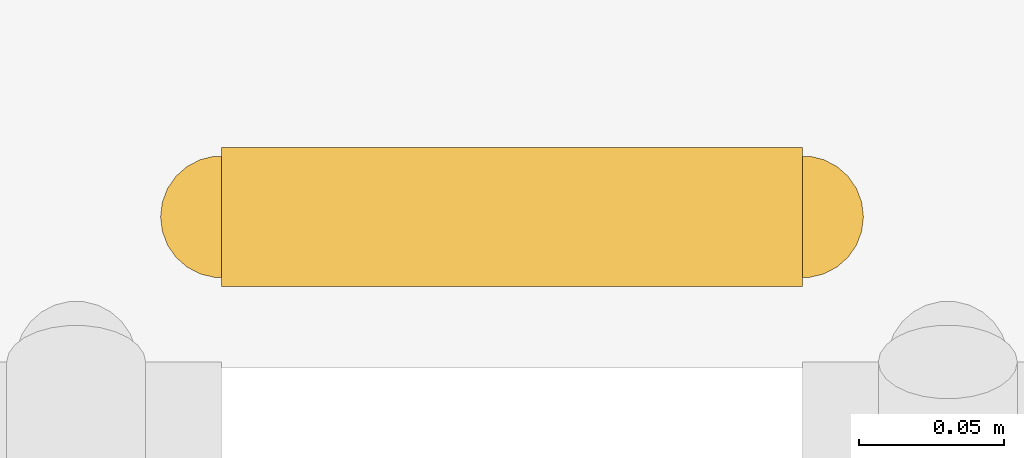
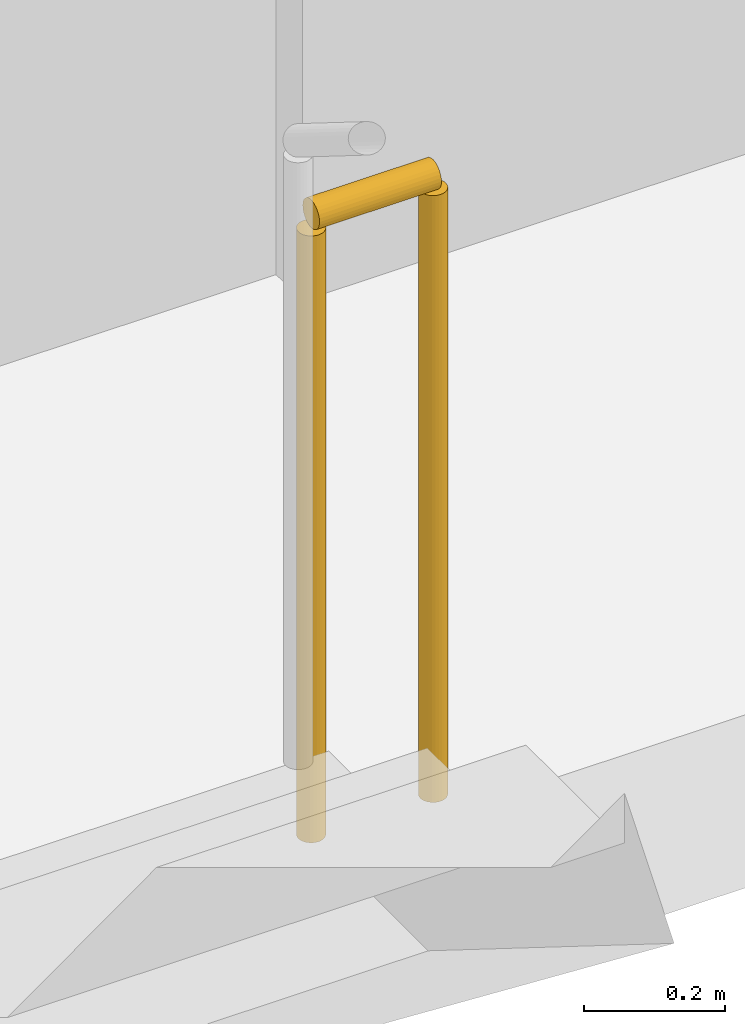
# One storey, part 20 of 22: 1 railing.
"""IFC4 building model written with IfcOpenShell, lengths in metres."""

import ifcopenshell
import ifcopenshell.guid

model = None  # the IFC model being written
_history = None  # IfcOwnerHistory: only IFC2X3 demands one
_inside = {}  # id of a spatial element -> (the spatial element, [elements in it])
_under = {}  # id of a project, library or spatial element -> (it, [spatial elements below it])
_declared = {}  # id of a project -> (the project, [libraries it declares])
_typed = {}  # id of a type object -> (the type object, [elements of that type])
_made_of = {}  # id of a material, layer set ... -> (it, [elements and type objects made of it])


def new_model(schema):
    """Start an empty IFC model of exactly this schema.

    Asked for "IFC4X3", IfcOpenShell would pick the latest addendum, in which some entities
    have other attributes; the version numbers below select the first issue.
    IFC2X3 requires an IfcOwnerHistory on every rooted entity: one is made here for all.
    """
    global model, _history
    if schema == "IFC4X3":
        model = ifcopenshell.file(schema_version=(4, 3, 0, 0))
    else:
        model = ifcopenshell.file(schema=schema)
    _inside.clear()
    _under.clear()
    _declared.clear()
    _typed.clear()
    _made_of.clear()
    _history = None
    if model.schema == "IFC2X3":
        org = make("IfcOrganization", Name="unknown")
        user = make(
            "IfcPersonAndOrganization",
            ThePerson=make("IfcPerson", FamilyName="unknown"),
            TheOrganization=org,
        )
        app = make(
            "IfcApplication",
            ApplicationDeveloper=org,
            Version="unknown",
            ApplicationFullName="unknown",
            ApplicationIdentifier="unknown",
        )
        _history = make(
            "IfcOwnerHistory",
            OwningUser=user,
            OwningApplication=app,
            ChangeAction="ADDED",
            CreationDate=0,
        )
    return model


def make(cls, **values):
    """One entity of the class cls with the attributes given. An attribute that is None is left unset."""
    return model.create_entity(
        cls, **{name: value for name, value in values.items() if value is not None}
    )


def rooted(cls, **values):
    """An entity with a GlobalId (a new one), such as an element, a storey or a relation."""
    return make(cls, GlobalId=ifcopenshell.guid.new(), OwnerHistory=_history, **values)


def si_unit(unit_type, name, prefix=None):
    """IfcSIUnit, for example si_unit("LENGTHUNIT", "METRE", prefix="MILLI")."""
    return make("IfcSIUnit", UnitType=unit_type, Prefix=prefix, Name=name)


def assignment(units):
    """IfcUnitAssignment: the units of a project."""
    return None if units is None else make("IfcUnitAssignment", Units=units)


def point(xyz):
    """IfcCartesianPoint."""
    return None if xyz is None else make("IfcCartesianPoint", Coordinates=xyz)


def direction(xyz):
    """IfcDirection."""
    return None if xyz is None else make("IfcDirection", DirectionRatios=xyz)


def frame(location, z_axis=None, x_axis=None):
    """IfcAxis2Placement3D, a coordinate frame: its origin and axes. An axis left out is left unset."""
    return make(
        "IfcAxis2Placement3D",
        Location=point(location),
        Axis=direction(z_axis),
        RefDirection=direction(x_axis),
    )


def frame_2d(location, x_axis=None):
    """IfcAxis2Placement2D, a coordinate frame in the plane: its origin and x axis."""
    return make(
        "IfcAxis2Placement2D", Location=point(location), RefDirection=direction(x_axis)
    )


def origin():
    """The frame at (0, 0, 0) with its axes left unset."""
    return frame((0.0, 0.0, 0.0))


def origin_2d():
    """The frame at (0, 0) in the plane with its x axis left unset."""
    return frame_2d((0.0, 0.0))


def place(relative_to, where):
    """IfcLocalPlacement: puts the frame where relative to a parent placement (None: the world)."""
    return make(
        "IfcLocalPlacement", PlacementRelTo=relative_to, RelativePlacement=where
    )


def context(
    kind, dimensions, precision=None, world=None, true_north=None, identifier=None
):
    """IfcGeometricRepresentationContext, for example the 3D "Model" context."""
    return make(
        "IfcGeometricRepresentationContext",
        ContextIdentifier=identifier,
        ContextType=kind,
        CoordinateSpaceDimension=dimensions,
        Precision=precision,
        WorldCoordinateSystem=world,
        TrueNorth=true_north,
    )


def subcontext(parent, identifier, kind, view, scale=None):
    """IfcGeometricRepresentationSubContext, for example "Body" below "Model"."""
    return make(
        "IfcGeometricRepresentationSubContext",
        ContextIdentifier=identifier,
        ContextType=kind,
        ParentContext=parent,
        TargetScale=scale,
        TargetView=view,
    )


def project(units=None, contexts=None):
    """IfcProject with its units and contexts."""
    return rooted(
        "IfcProject",
        Name="project",
        RepresentationContexts=contexts,
        UnitsInContext=assignment(units),
    )


def spatial(cls, under=None, at=None, **own):
    """A site, building, storey or space (cls), placed at a placement, below another one or the project."""
    s = rooted(cls, ObjectPlacement=at, **own)
    if under is not None:
        _under.setdefault(under.id(), (under, []))[1].append(s)
    return s


def profile(cls, at=None, kind="AREA", **sizes):
    """A parametric profile (cls). Its sizes go by their IFC names, for example OverallWidth=200.0."""
    return make(cls, ProfileType=kind, Position=at, **sizes)


def circle(**sizes):
    """IfcCircleProfileDef."""
    return profile("IfcCircleProfileDef", **sizes)


def extrude(swept, where, along, depth):
    """IfcExtrudedAreaSolid: the profile swept, set in the frame where, extruded along a direction by depth."""
    return make(
        "IfcExtrudedAreaSolid",
        SweptArea=swept,
        Position=where,
        ExtrudedDirection=direction(along),
        Depth=depth,
    )


def shape(context_of_items, identifier, shape_type, items):
    """IfcShapeRepresentation: the items that make up one representation, for example the "Body"."""
    return make(
        "IfcShapeRepresentation",
        ContextOfItems=context_of_items,
        RepresentationIdentifier=identifier,
        RepresentationType=shape_type,
        Items=items,
    )


def material(Name=None, Category=None):
    """IfcMaterial."""
    return make("IfcMaterial", Name=Name, Category=Category)


def made_of(thing, what):
    """Note that an element or type object is made of a material, layer set ...; save() writes the relation."""
    if what is not None:
        _made_of.setdefault(what.id(), (what, []))[1].append(thing)
    return thing


def type_object(cls, material=None, **own):
    """A type object (cls), such as IfcWallType, which elements share."""
    return made_of(rooted(cls, **own), material)


def element(
    cls,
    number,
    at=None,
    inside=None,
    cuts=None,
    type_object=None,
    material=None,
    context=None,
    identifier="Body",
    shape_type=None,
    held_by="IfcProductDefinitionShape",
    body=None,
    shapes=None,
    **own,
):
    """One element of the class cls, such as IfcWall. Its Tag is "e" and its number.

    at: its placement. inside: the storey or other place that contains it. cuts: it is an
    opening in that element (IfcRelVoidsElement). A single representation is given by context,
    identifier, shape_type and body (its items); several are given by shapes. held_by: the class
    of the entity that holds the representations. save() writes the other relations.
    """
    e = rooted(cls, Tag="e%d" % number, ObjectPlacement=at, **own)
    if body is not None:
        shapes = [shape(context, identifier, shape_type, body)]
    if shapes is not None:
        e.Representation = make(held_by, Representations=shapes)
    if inside is not None:
        _inside.setdefault(inside.id(), (inside, []))[1].append(e)
    if cuts is not None:
        rooted(
            "IfcRelVoidsElement", RelatingBuildingElement=cuts, RelatedOpeningElement=e
        )
    if type_object is not None:
        _typed.setdefault(type_object.id(), (type_object, []))[1].append(e)
    return made_of(e, material)


def aggregate(whole, parts):
    """IfcRelAggregates: a whole, such as a stair, and the parts it consists of."""
    return rooted("IfcRelAggregates", RelatingObject=whole, RelatedObjects=parts)


def save(model, path):
    """Write the relations noted so far, then the file.

    IfcRelAggregates (storeys below a building ...), IfcRelContainedInSpatialStructure (elements
    in a storey), IfcRelDefinesByType, IfcRelAssociatesMaterial and IfcRelDeclares: one each for
    every whole, place, type object, material and project.
    """
    for whole, parts in _under.values():
        aggregate(whole, parts)
    for where, things in _inside.values():
        rooted(
            "IfcRelContainedInSpatialStructure",
            RelatedElements=things,
            RelatingStructure=where,
        )
    for kind, things in _typed.values():
        rooted("IfcRelDefinesByType", RelatedObjects=things, RelatingType=kind)
    for what, things in _made_of.values():
        rooted("IfcRelAssociatesMaterial", RelatedObjects=things, RelatingMaterial=what)
    for by, libraries in _declared.values():
        rooted("IfcRelDeclares", RelatingContext=by, RelatedDefinitions=libraries)
    model.write(path)


model = new_model("IFC4")

# Units and contexts
model_context = context("Model", 3, precision=1e-05, world=origin(), true_north=direction((0.0, 1.0)))
body_context = subcontext(model_context, "Body", "Model", "MODEL_VIEW")
ifc_project = project(units=[si_unit("LENGTHUNIT", "METRE"), si_unit("AREAUNIT", "SQUARE_METRE"), si_unit("VOLUMEUNIT", "CUBIC_METRE"), si_unit("PLANEANGLEUNIT", "RADIAN"), si_unit("MASSUNIT", "GRAM", prefix="KILO")], contexts=[model_context])

# Site, building, storey
site_placement = place(None, origin())
site = spatial("IfcSite", under=ifc_project, at=site_placement, CompositionType="ELEMENT")
building_placement = place(site_placement, origin())
building = spatial("IfcBuilding", under=site, at=building_placement, Name="Kiln Ring Residences", CompositionType="ELEMENT")
storey_placement = place(building_placement, frame((0.0, 0.0, 171.10009765625)))
storey = spatial("IfcBuildingStorey", under=building, at=storey_placement, Name="L44", CompositionType="ELEMENT", Elevation=171.10009765625)

# Railing
ifc_material = material(Name="Stainless steel", Category="steel")
railing_type = type_object("IfcRailingType", Name="CORE-STAIR-GUARD", PredefinedType="GUARDRAIL", material=ifc_material)
railing_placement = place(storey_placement, frame((-22.199951171875, 8.449951171875, 0.0)))
element("IfcRailing", 1, at=railing_placement, inside=storey, type_object=railing_type, Name="L44 W-STN stair guard 4", PredefinedType="GUARDRAIL", context=body_context, shape_type="SweptSolid", body=[
    extrude(circle(Radius=0.02392578125, at=origin_2d()), frame((0.0, 0.0, 1.076171875), z_axis=(1.0, 0.0, 0.0), x_axis=(0.0, 1.0, 0.0)), (0.0, 0.0, 1.0), 0.199951171875),
    extrude(circle(Radius=0.02099609375, at=origin_2d()), origin(), (0.0, 0.0, 1.0), 1.052001953125),
    extrude(circle(Radius=0.02099609375, at=origin_2d()), frame((0.199951171875, 0.0, 0.0)), (0.0, 0.0, 1.0), 1.052001953125),
])

save(model, "model.ifc")
